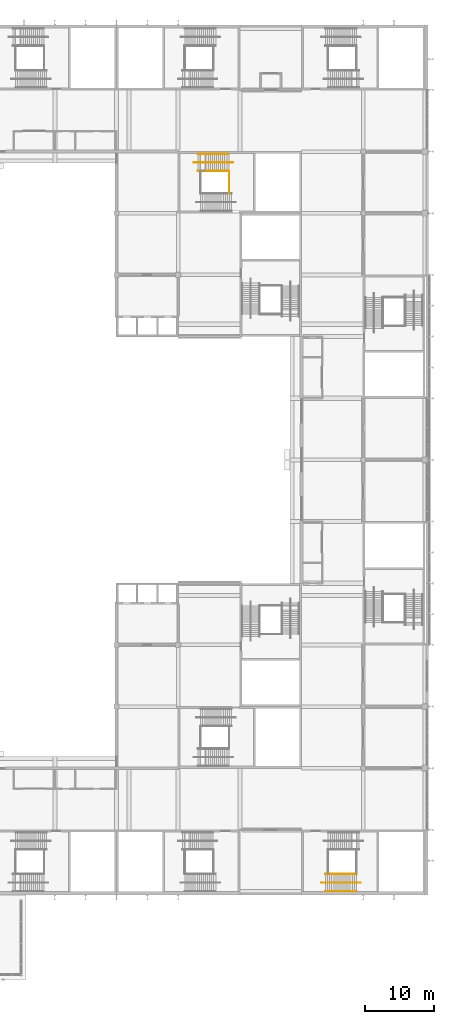
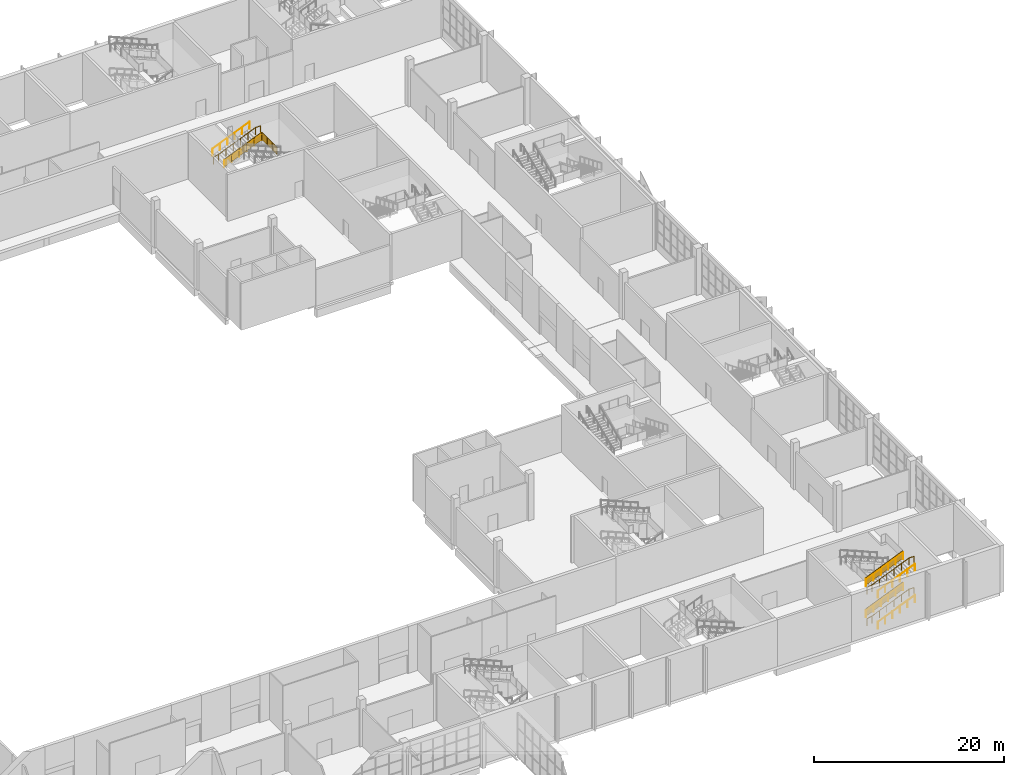
# One storey, part 79 of 89: 13 railings.
"""IFC4 building model written with IfcOpenShell, lengths in metres."""

from ifc_helpers import new_model, si_unit, direction, frame, origin, origin_2d, place, context, subcontext, project, spatial, polyline, circle, outline, extrude, material, type_object, element, save


model = new_model("IFC4")

# Units and contexts
model_context = context("Model", 3, precision=1e-05, world=origin(), true_north=direction((0.0, 1.0)))
body_context = subcontext(model_context, "Body", "Model", "MODEL_VIEW")
ifc_project = project(units=[si_unit("LENGTHUNIT", "METRE"), si_unit("AREAUNIT", "SQUARE_METRE"), si_unit("VOLUMEUNIT", "CUBIC_METRE"), si_unit("PLANEANGLEUNIT", "RADIAN"), si_unit("MASSUNIT", "GRAM", prefix="KILO")], contexts=[model_context])

# Site, building, storey
site_placement = place(None, origin())
site = spatial("IfcSite", under=ifc_project, at=site_placement, CompositionType="ELEMENT")
building_placement = place(site_placement, origin())
building = spatial("IfcBuilding", under=site, at=building_placement, Name="Silverbay Arena", CompositionType="ELEMENT")
storey_placement = place(building_placement, frame((0.0, 0.0, 22.0)))
storey = spatial("IfcBuildingStorey", under=building, at=storey_placement, Name="L03", CompositionType="ELEMENT", Elevation=22.0)

# Railings
ifc_material_1 = material(Name="Stainless steel", Category="steel")
railing_type_1 = type_object("IfcRailingType", Name="Stair guard 1100", PredefinedType="GUARDRAIL", material=ifc_material_1)
railing_1_placement = place(storey_placement, frame((192.510009765625, 20.574951171875, 0.125)))
element("IfcRailing", 1, at=railing_1_placement, inside=storey, type_object=railing_type_1, Name="Stair ST-S6 L03 to L04 flight 1 guard left", PredefinedType="GUARDRAIL", context=body_context, shape_type="SweptSolid", body=[
    extrude(circle(Radius=0.02392578125, at=origin_2d()), frame((0.0, 0.0, 1.076171875), z_axis=(0.923076923077, 0.0, 0.384615384615), x_axis=(0.0, 1.0, 0.0)), (0.0, 0.0, 1.0), 4.875),
    extrude(outline(polyline([(-0.008056640625, 0.046630859375), (0.907958984375, 0.42822265625), (0.907958984375, 1.431396484375), (-0.008056640625, 1.049560546875), (-0.008056640625, 0.046630859375)])), frame((0.0, 0.0029296875, 0.0), z_axis=(0.0, -1.0, 0.0), x_axis=(1.0, 0.0, 0.0)), (0.0, 0.0, 1.0), 0.006103515625),
    extrude(outline(polyline([(-0.008056640625, 0.421630859375), (0.907958984375, 0.80322265625), (0.907958984375, 1.806396484375), (-0.008056640625, 1.424560546875), (-0.008056640625, 0.421630859375)])), frame((0.89990234375, 0.0029296875, 0.0), z_axis=(0.0, -1.0, 0.0), x_axis=(1.0, 0.0, 0.0)), (0.0, 0.0, 1.0), 0.006103515625),
    extrude(outline(polyline([(-0.008056640625, 0.796630859375), (0.907958984375, 1.17822265625), (0.907958984375, 2.181396484375), (-0.008056640625, 1.799560546875), (-0.008056640625, 0.796630859375)])), frame((1.800048828125, 0.0029296875, 0.0), z_axis=(0.0, -1.0, 0.0), x_axis=(1.0, 0.0, 0.0)), (0.0, 0.0, 1.0), 0.006103515625),
    extrude(outline(polyline([(-0.008056640625, 1.171630859375), (0.907958984375, 1.55322265625), (0.907958984375, 2.556396484375), (-0.008056640625, 2.174560546875), (-0.008056640625, 1.171630859375)])), frame((2.699951171875, 0.0029296875, 0.0), z_axis=(0.0, -1.0, 0.0), x_axis=(1.0, 0.0, 0.0)), (0.0, 0.0, 1.0), 0.006103515625),
    extrude(outline(polyline([(-0.008056640625, 1.546630859375), (0.907958984375, 1.92822265625), (0.907958984375, 2.931396484375), (-0.008056640625, 2.549560546875), (-0.008056640625, 1.546630859375)])), frame((3.60009765625, 0.0029296875, 0.0), z_axis=(0.0, -1.0, 0.0), x_axis=(1.0, 0.0, 0.0)), (0.0, 0.0, 1.0), 0.006103515625),
    extrude(circle(Radius=0.02099609375, at=origin_2d()), origin(), (0.0, 0.0, 1.0), 1.052001953125),
    extrude(circle(Radius=0.02099609375, at=origin_2d()), frame((0.89990234375, 0.0, 0.375)), (0.0, 0.0, 1.0), 1.052001953125),
    extrude(circle(Radius=0.02099609375, at=origin_2d()), frame((1.800048828125, 0.0, 0.75)), (0.0, 0.0, 1.0), 1.052001953125),
    extrude(circle(Radius=0.02099609375, at=origin_2d()), frame((2.699951171875, 0.0, 1.125)), (0.0, 0.0, 1.0), 1.052001953125),
    extrude(circle(Radius=0.02099609375, at=origin_2d()), frame((3.60009765625, 0.0, 1.5)), (0.0, 0.0, 1.0), 1.052001953125),
    extrude(circle(Radius=0.02099609375, at=origin_2d()), frame((4.5, 0.0, 1.875)), (0.0, 0.0, 1.0), 1.052001953125),
])
railing_2_placement = place(storey_placement, frame((192.510009765625, 20.574951171875, 4.125)))
element("IfcRailing", 2, at=railing_2_placement, inside=storey, type_object=railing_type_1, Name="Stair ST-S6 L03 to L04 flight 3 guard left", PredefinedType="GUARDRAIL", context=body_context, shape_type="SweptSolid", body=[
    extrude(circle(Radius=0.02392578125, at=origin_2d()), frame((0.0, 0.0, 1.076171875), z_axis=(0.923076923077, 0.0, 0.384615384615), x_axis=(0.0, 1.0, 0.0)), (0.0, 0.0, 1.0), 4.875),
    extrude(outline(polyline([(-0.008056640625, 0.046630859375), (0.907958984375, 0.42822265625), (0.907958984375, 1.431396484375), (-0.008056640625, 1.049560546875), (-0.008056640625, 0.046630859375)])), frame((0.0, 0.0029296875, 0.0), z_axis=(0.0, -1.0, 0.0), x_axis=(1.0, 0.0, 0.0)), (0.0, 0.0, 1.0), 0.006103515625),
    extrude(outline(polyline([(-0.008056640625, 0.421630859375), (0.907958984375, 0.80322265625), (0.907958984375, 1.806396484375), (-0.008056640625, 1.424560546875), (-0.008056640625, 0.421630859375)])), frame((0.89990234375, 0.0029296875, 0.0), z_axis=(0.0, -1.0, 0.0), x_axis=(1.0, 0.0, 0.0)), (0.0, 0.0, 1.0), 0.006103515625),
    extrude(outline(polyline([(-0.008056640625, 0.796630859375), (0.907958984375, 1.17822265625), (0.907958984375, 2.181396484375), (-0.008056640625, 1.799560546875), (-0.008056640625, 0.796630859375)])), frame((1.800048828125, 0.0029296875, 0.0), z_axis=(0.0, -1.0, 0.0), x_axis=(1.0, 0.0, 0.0)), (0.0, 0.0, 1.0), 0.006103515625),
    extrude(outline(polyline([(-0.008056640625, 1.171630859375), (0.907958984375, 1.55322265625), (0.907958984375, 2.556396484375), (-0.008056640625, 2.174560546875), (-0.008056640625, 1.171630859375)])), frame((2.699951171875, 0.0029296875, 0.0), z_axis=(0.0, -1.0, 0.0), x_axis=(1.0, 0.0, 0.0)), (0.0, 0.0, 1.0), 0.006103515625),
    extrude(outline(polyline([(-0.008056640625, 1.546630859375), (0.907958984375, 1.92822265625), (0.907958984375, 2.931396484375), (-0.008056640625, 2.549560546875), (-0.008056640625, 1.546630859375)])), frame((3.60009765625, 0.0029296875, 0.0), z_axis=(0.0, -1.0, 0.0), x_axis=(1.0, 0.0, 0.0)), (0.0, 0.0, 1.0), 0.006103515625),
    extrude(circle(Radius=0.02099609375, at=origin_2d()), origin(), (0.0, 0.0, 1.0), 1.052001953125),
    extrude(circle(Radius=0.02099609375, at=origin_2d()), frame((0.89990234375, 0.0, 0.375)), (0.0, 0.0, 1.0), 1.052001953125),
    extrude(circle(Radius=0.02099609375, at=origin_2d()), frame((1.800048828125, 0.0, 0.75)), (0.0, 0.0, 1.0), 1.052001953125),
    extrude(circle(Radius=0.02099609375, at=origin_2d()), frame((2.699951171875, 0.0, 1.125)), (0.0, 0.0, 1.0), 1.052001953125),
    extrude(circle(Radius=0.02099609375, at=origin_2d()), frame((3.60009765625, 0.0, 1.5)), (0.0, 0.0, 1.0), 1.052001953125),
    extrude(circle(Radius=0.02099609375, at=origin_2d()), frame((4.5, 0.0, 1.875)), (0.0, 0.0, 1.0), 1.052001953125),
])
railing_3_placement = place(storey_placement, frame((173.89990234375, 123.125, 2.125)))
element("IfcRailing", 3, at=railing_3_placement, inside=storey, type_object=railing_type_1, Name="Stair ST-NE1 L03 to L04 flight 2 guard left", PredefinedType="GUARDRAIL", context=body_context, shape_type="SweptSolid", body=[
    extrude(circle(Radius=0.02392578125, at=origin_2d()), frame((0.0, 0.0, 1.076171875), z_axis=(0.923076923077, 0.0, 0.384615384615), x_axis=(0.0, 1.0, 0.0)), (0.0, 0.0, 1.0), 4.875),
    extrude(outline(polyline([(-0.008056640625, 0.046630859375), (0.907958984375, 0.42822265625), (0.907958984375, 1.431396484375), (-0.008056640625, 1.049560546875), (-0.008056640625, 0.046630859375)])), frame((0.0, 0.0029296875, 0.0), z_axis=(0.0, -1.0, 0.0), x_axis=(1.0, 0.0, 0.0)), (0.0, 0.0, 1.0), 0.006103515625),
    extrude(outline(polyline([(-0.008056640625, 0.421630859375), (0.907958984375, 0.80322265625), (0.907958984375, 1.806396484375), (-0.008056640625, 1.424560546875), (-0.008056640625, 0.421630859375)])), frame((0.89990234375, 0.0029296875, 0.0), z_axis=(0.0, -1.0, 0.0), x_axis=(1.0, 0.0, 0.0)), (0.0, 0.0, 1.0), 0.006103515625),
    extrude(outline(polyline([(-0.008056640625, 0.796630859375), (0.907958984375, 1.17822265625), (0.907958984375, 2.181396484375), (-0.008056640625, 1.799560546875), (-0.008056640625, 0.796630859375)])), frame((1.800048828125, 0.0029296875, 0.0), z_axis=(0.0, -1.0, 0.0), x_axis=(1.0, 0.0, 0.0)), (0.0, 0.0, 1.0), 0.006103515625),
    extrude(outline(polyline([(-0.008056640625, 1.171630859375), (0.907958984375, 1.55322265625), (0.907958984375, 2.556396484375), (-0.008056640625, 2.174560546875), (-0.008056640625, 1.171630859375)])), frame((2.699951171875, 0.0029296875, 0.0), z_axis=(0.0, -1.0, 0.0), x_axis=(1.0, 0.0, 0.0)), (0.0, 0.0, 1.0), 0.006103515625),
    extrude(outline(polyline([(-0.008056640625, 1.546630859375), (0.907958984375, 1.92822265625), (0.907958984375, 2.931396484375), (-0.008056640625, 2.549560546875), (-0.008056640625, 1.546630859375)])), frame((3.60009765625, 0.0029296875, 0.0), z_axis=(0.0, -1.0, 0.0), x_axis=(1.0, 0.0, 0.0)), (0.0, 0.0, 1.0), 0.006103515625),
    extrude(circle(Radius=0.02099609375, at=origin_2d()), origin(), (0.0, 0.0, 1.0), 1.052001953125),
    extrude(circle(Radius=0.02099609375, at=origin_2d()), frame((0.89990234375, 0.0, 0.375)), (0.0, 0.0, 1.0), 1.052001953125),
    extrude(circle(Radius=0.02099609375, at=origin_2d()), frame((1.800048828125, 0.0, 0.75)), (0.0, 0.0, 1.0), 1.052001953125),
    extrude(circle(Radius=0.02099609375, at=origin_2d()), frame((2.699951171875, 0.0, 1.125)), (0.0, 0.0, 1.0), 1.052001953125),
    extrude(circle(Radius=0.02099609375, at=origin_2d()), frame((3.60009765625, 0.0, 1.5)), (0.0, 0.0, 1.0), 1.052001953125),
    extrude(circle(Radius=0.02099609375, at=origin_2d()), frame((4.5, 0.0, 1.875)), (0.0, 0.0, 1.0), 1.052001953125),
])
railing_4_placement = place(storey_placement, frame((178.449951171875, 119.89990234375, 4.0)))
element("IfcRailing", 4, at=railing_4_placement, inside=storey, type_object=railing_type_1, Name="Stair ST-NE1 L03 to L04 landing 2 guard", PredefinedType="GUARDRAIL", context=body_context, shape_type="SweptSolid", body=[
    extrude(circle(Radius=0.02392578125, at=origin_2d()), frame((0.0, 0.0, 1.076171875), z_axis=(0.0, 1.0, 0.0), x_axis=(-1.0, 0.0, 0.0)), (0.0, 0.0, 1.0), 3.2001953125),
    extrude(outline(polyline([(-0.008056640625, 0.050048828125), (1.07470703125, 0.050048828125), (1.07470703125, 1.052978515625), (-0.008056640625, 1.052978515625), (-0.008056640625, 0.050048828125)])), frame((-0.0029296875, 0.0, 0.0), z_axis=(1.0, 0.0, 0.0), x_axis=(0.0, 1.0, 0.0)), (0.0, 0.0, 1.0), 0.006103515625),
    extrude(outline(polyline([(-0.008056640625, 0.050048828125), (1.07470703125, 0.050048828125), (1.07470703125, 1.052978515625), (-0.008056640625, 1.052978515625), (-0.008056640625, 0.050048828125)])), frame((-0.0029296875, 1.066650390625, 0.0), z_axis=(1.0, 0.0, 0.0), x_axis=(0.0, 1.0, 0.0)), (0.0, 0.0, 1.0), 0.006103515625),
    extrude(outline(polyline([(-0.008056640625, 0.050048828125), (1.07470703125, 0.050048828125), (1.07470703125, 1.052978515625), (-0.008056640625, 1.052978515625), (-0.008056640625, 0.050048828125)])), frame((-0.0029296875, 2.133544921875, 0.0), z_axis=(1.0, 0.0, 0.0), x_axis=(0.0, 1.0, 0.0)), (0.0, 0.0, 1.0), 0.006103515625),
    extrude(circle(Radius=0.02099609375, at=origin_2d()), origin(), (0.0, 0.0, 1.0), 1.052001953125),
    extrude(circle(Radius=0.02099609375, at=origin_2d()), frame((0.0, 1.066650390625, 0.0)), (0.0, 0.0, 1.0), 1.052001953125),
    extrude(circle(Radius=0.02099609375, at=origin_2d()), frame((0.0, 2.133544921875, 0.0)), (0.0, 0.0, 1.0), 1.052001953125),
    extrude(circle(Radius=0.02099609375, at=origin_2d()), frame((0.0, 3.2001953125, 0.0)), (0.0, 0.0, 1.0), 1.052001953125),
])
ifc_material_2 = material(Name="Stainless steel", Category="steel")
railing_type_2 = type_object("IfcRailingType", Name="Stair handrail 900", PredefinedType="HANDRAIL", material=ifc_material_2)
for number, where, name in (
    (5, (192.510009765625, 20.535888671875, 0.125), "Stair ST-S6 L03 to L04 flight 1 handrail left"),
    (6, (192.510009765625, 18.050048828125, 0.125), "Stair ST-S6 L03 to L04 flight 1 handrail right"),
):
    element("IfcRailing", number, at=place(storey_placement, frame(where)), inside=storey, type_object=railing_type_2, Name=name, PredefinedType="HANDRAIL", context=body_context, shape_type="SweptSolid", body=[
        extrude(circle(Radius=0.02392578125, at=origin_2d()), frame((0.0, 0.0, 0.8759765625), z_axis=(0.923076923077, 0.0, 0.384615384615), x_axis=(0.0, 1.0, 0.0)), (0.0, 0.0, 1.0), 4.875),
        extrude(circle(Radius=0.02099609375, at=origin_2d()), origin(), (0.0, 0.0, 1.0), 0.851806640625),
        extrude(circle(Radius=0.02099609375, at=origin_2d()), frame((0.89990234375, 0.0, 0.375)), (0.0, 0.0, 1.0), 0.851806640625),
        extrude(circle(Radius=0.02099609375, at=origin_2d()), frame((1.800048828125, 0.0, 0.75)), (0.0, 0.0, 1.0), 0.851806640625),
        extrude(circle(Radius=0.02099609375, at=origin_2d()), frame((2.699951171875, 0.0, 1.125)), (0.0, 0.0, 1.0), 0.851806640625),
        extrude(circle(Radius=0.02099609375, at=origin_2d()), frame((3.60009765625, 0.0, 1.5)), (0.0, 0.0, 1.0), 0.851806640625),
        extrude(circle(Radius=0.02099609375, at=origin_2d()), frame((4.5, 0.0, 1.875)), (0.0, 0.0, 1.0), 0.851806640625),
    ])
railing_5_placement = place(storey_placement, frame((191.909912109375, 19.300048828125, 0.0)))
element("IfcRailing", 7, at=railing_5_placement, inside=storey, type_object=railing_type_2, Name="Stair ST-S6 L03 to L04 flight 1 central handrail", PredefinedType="HANDRAIL", context=body_context, shape_type="SweptSolid", body=[
    extrude(circle(Radius=0.02392578125, at=origin_2d()), frame((0.0, 0.0, 0.8759765625), z_axis=(0.978987046276, 0.0, 0.203922444139), x_axis=(0.0, 1.0, 0.0)), (0.0, 0.0, 1.0), 0.613037109375),
    extrude(circle(Radius=0.02392578125, at=origin_2d()), frame((0.60009765625, 0.0, 1.0009765625), z_axis=(0.923076923077, 0.0, 0.384615384615), x_axis=(0.0, 1.0, 0.0)), (0.0, 0.0, 1.0), 4.875),
    extrude(circle(Radius=0.02392578125, at=origin_2d()), frame((5.10009765625, 0.0, 2.8759765625), z_axis=(1.0, 0.0, 0.0), x_axis=(0.0, 1.0, 0.0)), (0.0, 0.0, 1.0), 0.60009765625),
    extrude(circle(Radius=0.02099609375, at=origin_2d()), origin(), (0.0, 0.0, 1.0), 0.851806640625),
    extrude(circle(Radius=0.02099609375, at=origin_2d()), frame((0.60009765625, 0.0, 0.125)), (0.0, 0.0, 1.0), 0.851806640625),
    extrude(circle(Radius=0.02099609375, at=origin_2d()), frame((1.5, 0.0, 0.5)), (0.0, 0.0, 1.0), 0.851806640625),
    extrude(circle(Radius=0.02099609375, at=origin_2d()), frame((2.400146484375, 0.0, 0.875)), (0.0, 0.0, 1.0), 0.851806640625),
    extrude(circle(Radius=0.02099609375, at=origin_2d()), frame((3.300048828125, 0.0, 1.25)), (0.0, 0.0, 1.0), 0.851806640625),
    extrude(circle(Radius=0.02099609375, at=origin_2d()), frame((4.2001953125, 0.0, 1.625)), (0.0, 0.0, 1.0), 0.851806640625),
    extrude(circle(Radius=0.02099609375, at=origin_2d()), frame((5.10009765625, 0.0, 2.0)), (0.0, 0.0, 1.0), 0.851806640625),
    extrude(circle(Radius=0.02099609375, at=origin_2d()), frame((5.7001953125, 0.0, 2.0)), (0.0, 0.0, 1.0), 0.851806640625),
])
for number, where, name in (
    (8, (192.510009765625, 20.535888671875, 4.125), "Stair ST-S6 L03 to L04 flight 3 handrail left"),
    (9, (192.510009765625, 18.050048828125, 4.125), "Stair ST-S6 L03 to L04 flight 3 handrail right"),
):
    element("IfcRailing", number, at=place(storey_placement, frame(where)), inside=storey, type_object=railing_type_2, Name=name, PredefinedType="HANDRAIL", context=body_context, shape_type="SweptSolid", body=[
        extrude(circle(Radius=0.02392578125, at=origin_2d()), frame((0.0, 0.0, 0.8759765625), z_axis=(0.923076923077, 0.0, 0.384615384615), x_axis=(0.0, 1.0, 0.0)), (0.0, 0.0, 1.0), 4.875),
        extrude(circle(Radius=0.02099609375, at=origin_2d()), origin(), (0.0, 0.0, 1.0), 0.851806640625),
        extrude(circle(Radius=0.02099609375, at=origin_2d()), frame((0.89990234375, 0.0, 0.375)), (0.0, 0.0, 1.0), 0.851806640625),
        extrude(circle(Radius=0.02099609375, at=origin_2d()), frame((1.800048828125, 0.0, 0.75)), (0.0, 0.0, 1.0), 0.851806640625),
        extrude(circle(Radius=0.02099609375, at=origin_2d()), frame((2.699951171875, 0.0, 1.125)), (0.0, 0.0, 1.0), 0.851806640625),
        extrude(circle(Radius=0.02099609375, at=origin_2d()), frame((3.60009765625, 0.0, 1.5)), (0.0, 0.0, 1.0), 0.851806640625),
        extrude(circle(Radius=0.02099609375, at=origin_2d()), frame((4.5, 0.0, 1.875)), (0.0, 0.0, 1.0), 0.851806640625),
    ])
railing_6_placement = place(storey_placement, frame((191.909912109375, 19.300048828125, 4.0)))
element("IfcRailing", 10, at=railing_6_placement, inside=storey, type_object=railing_type_2, Name="Stair ST-S6 L03 to L04 flight 3 central handrail", PredefinedType="HANDRAIL", context=body_context, shape_type="SweptSolid", body=[
    extrude(circle(Radius=0.02392578125, at=origin_2d()), frame((0.0, 0.0, 0.8759765625), z_axis=(0.978987046276, 0.0, 0.203922444139), x_axis=(0.0, 1.0, 0.0)), (0.0, 0.0, 1.0), 0.613037109375),
    extrude(circle(Radius=0.02392578125, at=origin_2d()), frame((0.60009765625, 0.0, 1.0009765625), z_axis=(0.923076923077, 0.0, 0.384615384615), x_axis=(0.0, 1.0, 0.0)), (0.0, 0.0, 1.0), 4.875),
    extrude(circle(Radius=0.02392578125, at=origin_2d()), frame((5.10009765625, 0.0, 2.8759765625), z_axis=(1.0, 0.0, 0.0), x_axis=(0.0, 1.0, 0.0)), (0.0, 0.0, 1.0), 0.60009765625),
    extrude(circle(Radius=0.02099609375, at=origin_2d()), origin(), (0.0, 0.0, 1.0), 0.851806640625),
    extrude(circle(Radius=0.02099609375, at=origin_2d()), frame((0.60009765625, 0.0, 0.125)), (0.0, 0.0, 1.0), 0.851806640625),
    extrude(circle(Radius=0.02099609375, at=origin_2d()), frame((1.5, 0.0, 0.5)), (0.0, 0.0, 1.0), 0.851806640625),
    extrude(circle(Radius=0.02099609375, at=origin_2d()), frame((2.400146484375, 0.0, 0.875)), (0.0, 0.0, 1.0), 0.851806640625),
    extrude(circle(Radius=0.02099609375, at=origin_2d()), frame((3.300048828125, 0.0, 1.25)), (0.0, 0.0, 1.0), 0.851806640625),
    extrude(circle(Radius=0.02099609375, at=origin_2d()), frame((4.2001953125, 0.0, 1.625)), (0.0, 0.0, 1.0), 0.851806640625),
    extrude(circle(Radius=0.02099609375, at=origin_2d()), frame((5.10009765625, 0.0, 2.0)), (0.0, 0.0, 1.0), 0.851806640625),
    extrude(circle(Radius=0.02099609375, at=origin_2d()), frame((5.7001953125, 0.0, 2.0)), (0.0, 0.0, 1.0), 0.851806640625),
])
for number, where, name in (
    (11, (173.89990234375, 123.1640625, 2.125), "Stair ST-NE1 L03 to L04 flight 2 handrail left"),
    (12, (173.89990234375, 125.64990234375, 2.125), "Stair ST-NE1 L03 to L04 flight 2 handrail right"),
):
    element("IfcRailing", number, at=place(storey_placement, frame(where)), inside=storey, type_object=railing_type_2, Name=name, PredefinedType="HANDRAIL", context=body_context, shape_type="SweptSolid", body=[
        extrude(circle(Radius=0.02392578125, at=origin_2d()), frame((0.0, 0.0, 0.8759765625), z_axis=(0.923076923077, 0.0, 0.384615384615), x_axis=(0.0, 1.0, 0.0)), (0.0, 0.0, 1.0), 4.875),
        extrude(circle(Radius=0.02099609375, at=origin_2d()), origin(), (0.0, 0.0, 1.0), 0.851806640625),
        extrude(circle(Radius=0.02099609375, at=origin_2d()), frame((0.89990234375, 0.0, 0.375)), (0.0, 0.0, 1.0), 0.851806640625),
        extrude(circle(Radius=0.02099609375, at=origin_2d()), frame((1.800048828125, 0.0, 0.75)), (0.0, 0.0, 1.0), 0.851806640625),
        extrude(circle(Radius=0.02099609375, at=origin_2d()), frame((2.699951171875, 0.0, 1.125)), (0.0, 0.0, 1.0), 0.851806640625),
        extrude(circle(Radius=0.02099609375, at=origin_2d()), frame((3.60009765625, 0.0, 1.5)), (0.0, 0.0, 1.0), 0.851806640625),
        extrude(circle(Radius=0.02099609375, at=origin_2d()), frame((4.5, 0.0, 1.875)), (0.0, 0.0, 1.0), 0.851806640625),
    ])
railing_7_placement = place(storey_placement, frame((173.300048828125, 124.39990234375, 2.0)))
element("IfcRailing", 13, at=railing_7_placement, inside=storey, type_object=railing_type_2, Name="Stair ST-NE1 L03 to L04 flight 2 central handrail", PredefinedType="HANDRAIL", context=body_context, shape_type="SweptSolid", body=[
    extrude(circle(Radius=0.02392578125, at=origin_2d()), frame((0.0, 0.0, 0.8759765625), z_axis=(0.978970474113, 0.0, 0.20400198728), x_axis=(0.0, 1.0, 0.0)), (0.0, 0.0, 1.0), 0.61279296875),
    extrude(circle(Radius=0.02392578125, at=origin_2d()), frame((0.599853515625, 0.0, 1.0009765625), z_axis=(0.923076923077, 0.0, 0.384615384615), x_axis=(0.0, 1.0, 0.0)), (0.0, 0.0, 1.0), 4.875),
    extrude(circle(Radius=0.02392578125, at=origin_2d()), frame((5.099853515625, 0.0, 2.8759765625), z_axis=(1.0, 0.0, 0.0), x_axis=(0.0, 1.0, 0.0)), (0.0, 0.0, 1.0), 0.60009765625),
    extrude(circle(Radius=0.02099609375, at=origin_2d()), origin(), (0.0, 0.0, 1.0), 0.851806640625),
    extrude(circle(Radius=0.02099609375, at=origin_2d()), frame((0.599853515625, 0.0, 0.125)), (0.0, 0.0, 1.0), 0.851806640625),
    extrude(circle(Radius=0.02099609375, at=origin_2d()), frame((1.499755859375, 0.0, 0.5)), (0.0, 0.0, 1.0), 0.851806640625),
    extrude(circle(Radius=0.02099609375, at=origin_2d()), frame((2.39990234375, 0.0, 0.875)), (0.0, 0.0, 1.0), 0.851806640625),
    extrude(circle(Radius=0.02099609375, at=origin_2d()), frame((3.2998046875, 0.0, 1.25)), (0.0, 0.0, 1.0), 0.851806640625),
    extrude(circle(Radius=0.02099609375, at=origin_2d()), frame((4.199951171875, 0.0, 1.625)), (0.0, 0.0, 1.0), 0.851806640625),
    extrude(circle(Radius=0.02099609375, at=origin_2d()), frame((5.099853515625, 0.0, 2.0)), (0.0, 0.0, 1.0), 0.851806640625),
    extrude(circle(Radius=0.02099609375, at=origin_2d()), frame((5.699951171875, 0.0, 2.0)), (0.0, 0.0, 1.0), 0.851806640625),
])

save(model, "model.ifc")
